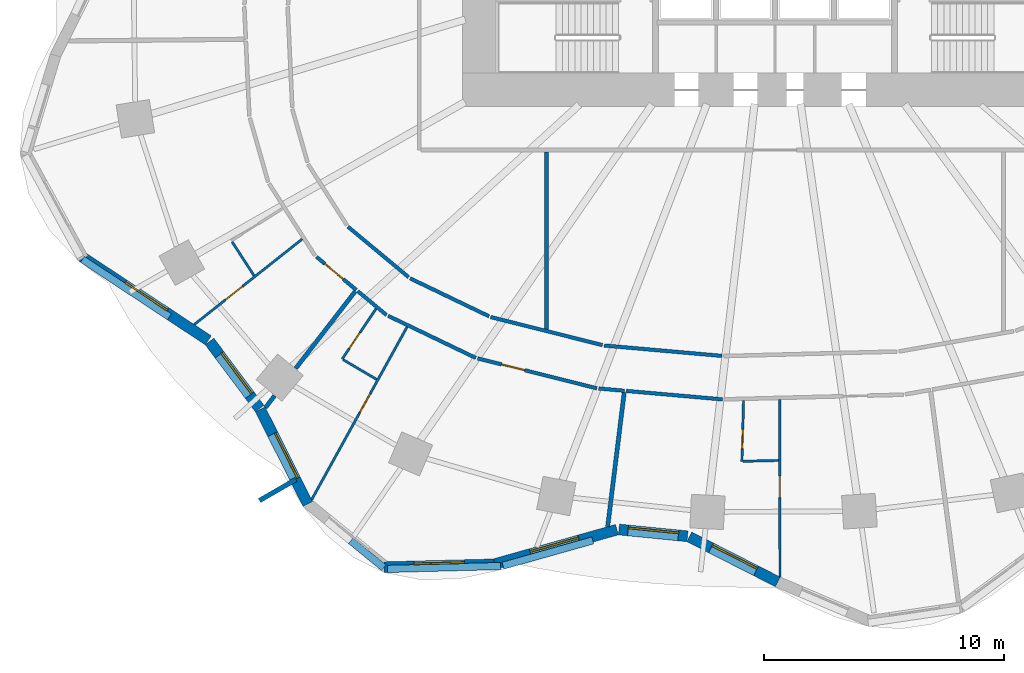
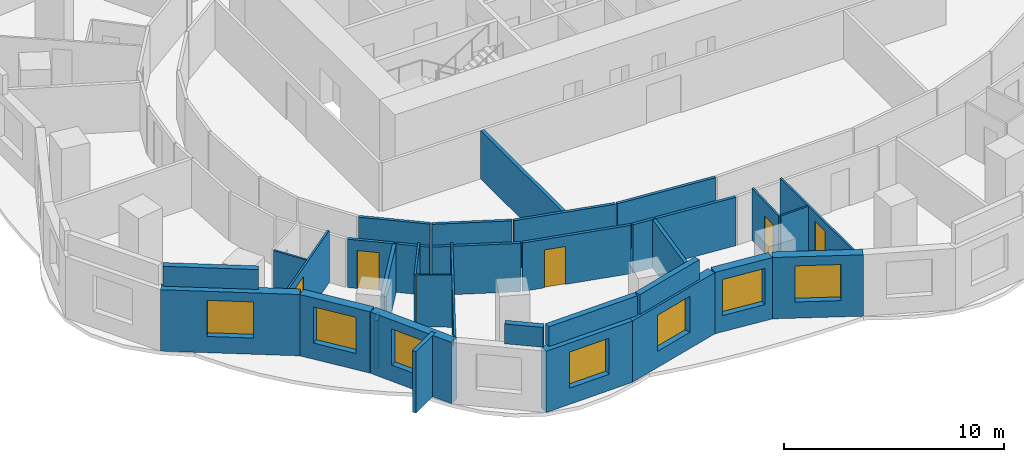
# One storey, part 3 of 11: 34 walls, 7 doors, 7 windows, 14 openings.
"""IFC4 building model written with IfcOpenShell, lengths in metres."""

from ifc_helpers import new_model, si_unit, direction, frame, frame_2d, origin, place, context, subcontext, project, spatial, rectangle, extrude, material, layer, layer_set, type_object, element, fill, save


model = new_model("IFC4")

# Units and contexts
model_context = context("Model", 3, precision=1e-05, world=origin(), true_north=direction((0.0, 1.0)))
body_context = subcontext(model_context, "Body", "Model", "MODEL_VIEW")
ifc_project = project(units=[si_unit("LENGTHUNIT", "METRE"), si_unit("AREAUNIT", "SQUARE_METRE"), si_unit("VOLUMEUNIT", "CUBIC_METRE"), si_unit("PLANEANGLEUNIT", "RADIAN"), si_unit("MASSUNIT", "GRAM", prefix="KILO")], contexts=[model_context])

# Site, building, storey
site_placement = place(None, origin())
site = spatial("IfcSite", under=ifc_project, at=site_placement, CompositionType="ELEMENT")
building_placement = place(site_placement, origin())
building = spatial("IfcBuilding", under=site, at=building_placement, Name="Rubra Terraces Tower", CompositionType="ELEMENT")
storey_placement = place(building_placement, frame((0.0, 0.0, 37.5)))
storey = spatial("IfcBuildingStorey", under=building, at=storey_placement, Name="L06", CompositionType="ELEMENT", Elevation=37.5)

# Walls
ifc_material_1 = material(Name="Twin plasterboard on staggered steel stud, acoustic mineral wool", Category="steel")
ifc_layer_1 = layer(ifc_material_1, 0.175048828125)
ifc_layer_set_1 = layer_set([ifc_layer_1], Name="Twin plasterboard on staggered steel stud, acoustic mineral wool")
wall_type_1 = type_object("IfcWallType", Name="ACOUSTIC PARTY WALL 175", PredefinedType="PARTITIONING", material=ifc_layer_set_1)
wall_1_placement = place(storey_placement, frame((-21.196533203125, -15.51513671875, 0.0), z_axis=(0.0, 0.0, 1.0), x_axis=(0.61138040292, 0.791336845424, 0.0)))
element("IfcWall", 1, at=wall_1_placement, inside=storey, type_object=wall_type_1, Name="PARTITION", PredefinedType="PARTITIONING", context=body_context, shape_type="SweptSolid", body=[
    extrude(rectangle(XDim=0.621337890625, YDim=0.175048828125, at=frame_2d((0.310546875, 0.0))), origin(), (0.0, 0.0, 1.0), 2.679931640625),
])
wall_2_placement = place(storey_placement, frame((-19.935546875, -13.883056640625, 0.0), z_axis=(0.0, 0.0, 1.0), x_axis=(0.611385692276, 0.791332758882, 0.0)))
element("IfcWall", 2, at=wall_2_placement, inside=storey, type_object=wall_type_1, Name="PARTITION", PredefinedType="PARTITIONING", context=body_context, shape_type="SweptSolid", body=[
    extrude(rectangle(XDim=4.047119140625, YDim=0.175048828125, at=frame_2d((2.0234375, 0.0))), origin(), (0.0, 0.0, 1.0), 2.679931640625),
])
wall_3_placement = place(storey_placement, frame((-6.959716796875, -20.461669921875, 0.0), z_axis=(0.0, 0.0, 1.0), x_axis=(0.122317252329, 0.992491052747, 0.0)))
element("IfcWall", 3, at=wall_3_placement, inside=storey, type_object=wall_type_1, Name="PARTITION", PredefinedType="PARTITIONING", context=body_context, shape_type="SweptSolid", body=[
    extrude(rectangle(XDim=5.61669921875, YDim=0.175048828125, at=frame_2d((2.808349609375, 0.0))), origin(), (0.0, 0.0, 1.0), 2.679931640625),
])
wall_4_placement = place(storey_placement, frame((-9.5, -12.256591796875, 0.0), z_axis=(0.0, 0.0, 1.0), x_axis=(0.0, 1.0, 0.0)))
element("IfcWall", 4, at=wall_4_placement, inside=storey, type_object=wall_type_1, Name="PARTITION", PredefinedType="PARTITIONING", context=body_context, shape_type="SweptSolid", body=[
    extrude(rectangle(XDim=7.381591796875, YDim=0.175048828125, at=frame_2d((3.69091796875, 0.0))), origin(), (0.0, 0.0, 1.0), 2.679931640625),
])

# Wall, opening, window
ifc_material_2 = material(Name="Brick masonry red-brown", Category="masonry")
ifc_layer_2 = layer(ifc_material_2, 0.449951171875)
ifc_layer_set_2 = layer_set([ifc_layer_2], Name="Brick masonry red-brown")
wall_type_2 = type_object("IfcWallType", Name="Brick facade wall 450", PredefinedType="SOLIDWALL", material=ifc_layer_set_2)
wall_5_placement = place(storey_placement, frame((-28.85302734375, -9.227294921875, 0.0), z_axis=(0.0, 0.0, 1.0), x_axis=(0.834404370393, -0.551152743502, 0.0)))
wall_5 = element("IfcWall", 5, at=wall_5_placement, inside=storey, type_object=wall_type_2, Name="Facade wall L06 bay 23", PredefinedType="SOLIDWALL", context=body_context, shape_type="SweptSolid", body=[
    extrude(rectangle(XDim=6.329833984375, YDim=0.449951171875, at=frame_2d((3.1650390625, 0.0))), origin(), (0.0, 0.0, 1.0), 3.39990234375),
])
opening_1_placement = place(wall_5_placement, frame((2.114990234375, 0.0, 0.89990234375)))
opening_1 = element("IfcOpeningElement", 6, at=opening_1_placement, cuts=wall_5, Name="Opening W1", PredefinedType="OPENING", context=body_context, shape_type="SweptSolid", body=[
    extrude(rectangle(XDim=2.10009765625, YDim=2.0, at=frame_2d((1.050048828125, 1.0))), frame((0.0, 0.23486328125, 0.0), z_axis=(0.0, -1.0, 0.0), x_axis=(1.0, 0.0, 0.0)), (0.0, 0.0, 1.0), 0.469970703125),
])
ifc_material_3 = material(Name="Clear glass in aluminium frame", Category="aluminium")
window_type = type_object("IfcWindowType", Name="Fixed deep-set window 2100 x 2000", PartitioningType="SINGLE_PANEL", PredefinedType="WINDOW", material=ifc_material_3)
window_1_placement = place(opening_1_placement, origin())
window_1 = element("IfcWindow", 7, at=window_1_placement, inside=storey, type_object=window_type, Name="Window L06 bay 23", OverallHeight=2.0, OverallWidth=2.10009765625, PartitioningType="SINGLE_PANEL", PredefinedType="WINDOW", context=body_context, shape_type="SweptSolid", body=[
    extrude(rectangle(XDim=2.10009765625, YDim=2.0, at=frame_2d((1.050048828125, 1.0))), frame((0.0, 0.135009765625, 0.0), z_axis=(0.0, -1.0, 0.0), x_axis=(1.0, 0.0, 0.0)), (0.0, 0.0, 1.0), 0.06005859375),
])
fill(opening_1, window_1)

wall_6_placement = place(storey_placement, frame((-23.520263671875, -12.762451171875, 0.0), z_axis=(0.0, 0.0, 1.0), x_axis=(0.598664281495, -0.801000048728, 0.0)))
wall_6 = element("IfcWall", 8, at=wall_6_placement, inside=storey, type_object=wall_type_2, Name="Facade wall L06 bay 24", PredefinedType="SOLIDWALL", context=body_context, shape_type="SweptSolid", body=[
    extrude(rectangle(XDim=3.482177734375, YDim=0.449951171875, at=frame_2d((1.7412109375, 0.0))), origin(), (0.0, 0.0, 1.0), 3.39990234375),
])
opening_2_placement = place(wall_6_placement, frame((0.691162109375, 0.0, 0.89990234375)))
opening_2 = element("IfcOpeningElement", 9, at=opening_2_placement, cuts=wall_6, Name="Opening W1", PredefinedType="OPENING", context=body_context, shape_type="SweptSolid", body=[
    extrude(rectangle(XDim=2.10009765625, YDim=2.0, at=frame_2d((1.050048828125, 1.0))), frame((0.0, 0.23486328125, 0.0), z_axis=(0.0, -1.0, 0.0), x_axis=(1.0, 0.0, 0.0)), (0.0, 0.0, 1.0), 0.469970703125),
])
window_2_placement = place(opening_2_placement, origin())
window_2 = element("IfcWindow", 10, at=window_2_placement, inside=storey, type_object=window_type, Name="Window L06 bay 24", OverallHeight=2.0, OverallWidth=2.10009765625, PartitioningType="SINGLE_PANEL", PredefinedType="WINDOW", context=body_context, shape_type="SweptSolid", body=[
    extrude(rectangle(XDim=2.10009765625, YDim=2.0, at=frame_2d((1.050048828125, 1.0))), frame((0.0, 0.135009765625, 0.0), z_axis=(0.0, -1.0, 0.0), x_axis=(1.0, 0.0, 0.0)), (0.0, 0.0, 1.0), 0.06005859375),
])
fill(opening_2, window_2)

wall_7_placement = place(storey_placement, frame((-21.41259765625, -15.586181640625, 0.0), z_axis=(0.0, 0.0, 1.0), x_axis=(0.449428064685, -0.893316525467, 0.0)))
wall_7 = element("IfcWall", 11, at=wall_7_placement, inside=storey, type_object=wall_type_2, Name="Facade wall L06 bay 25", PredefinedType="SOLIDWALL", context=body_context, shape_type="SweptSolid", body=[
    extrude(rectangle(XDim=4.4072265625, YDim=0.449951171875, at=frame_2d((2.20361328125, 0.0))), origin(), (0.0, 0.0, 1.0), 3.39990234375),
])
opening_3_placement = place(wall_7_placement, frame((1.153564453125, 0.0, 0.89990234375)))
opening_3 = element("IfcOpeningElement", 12, at=opening_3_placement, cuts=wall_7, Name="Opening W1", PredefinedType="OPENING", context=body_context, shape_type="SweptSolid", body=[
    extrude(rectangle(XDim=2.10009765625, YDim=2.0, at=frame_2d((1.050048828125, 1.0))), frame((0.0, 0.23486328125, 0.0), z_axis=(0.0, -1.0, 0.0), x_axis=(1.0, 0.0, 0.0)), (0.0, 0.0, 1.0), 0.469970703125),
])
window_3_placement = place(opening_3_placement, origin())
window_3 = element("IfcWindow", 13, at=window_3_placement, inside=storey, type_object=window_type, Name="Window L06 bay 25", OverallHeight=2.0, OverallWidth=2.10009765625, PartitioningType="SINGLE_PANEL", PredefinedType="WINDOW", context=body_context, shape_type="SweptSolid", body=[
    extrude(rectangle(XDim=2.10009765625, YDim=2.0, at=frame_2d((1.050048828125, 1.0))), frame((0.0, 0.135009765625, 0.0), z_axis=(0.0, -1.0, 0.0), x_axis=(1.0, 0.0, 0.0)), (0.0, 0.0, 1.0), 0.06005859375),
])
fill(opening_3, window_3)

wall_8_placement = place(storey_placement, frame((-16.264892578125, -22.153076171875, 0.0), z_axis=(0.0, 0.0, 1.0), x_axis=(0.999672618135, 0.025586257081, 0.0)))
wall_8 = element("IfcWall", 14, at=wall_8_placement, inside=storey, type_object=wall_type_2, Name="Facade wall L06 bay 27", PredefinedType="SOLIDWALL", context=body_context, shape_type="SweptSolid", body=[
    extrude(rectangle(XDim=4.589599609375, YDim=0.449951171875, at=frame_2d((2.294921875, 0.0))), origin(), (0.0, 0.0, 1.0), 3.39990234375),
])
opening_4_placement = place(wall_8_placement, frame((1.244873046875, 0.0, 0.89990234375)))
opening_4 = element("IfcOpeningElement", 15, at=opening_4_placement, cuts=wall_8, Name="Opening W1", PredefinedType="OPENING", context=body_context, shape_type="SweptSolid", body=[
    extrude(rectangle(XDim=2.10009765625, YDim=2.0, at=frame_2d((1.050048828125, 1.0))), frame((0.0, 0.23486328125, 0.0), z_axis=(0.0, -1.0, 0.0), x_axis=(1.0, 0.0, 0.0)), (0.0, 0.0, 1.0), 0.469970703125),
])
window_4_placement = place(opening_4_placement, origin())
window_4 = element("IfcWindow", 16, at=window_4_placement, inside=storey, type_object=window_type, Name="Window L06 bay 27", OverallHeight=2.0, OverallWidth=2.10009765625, PartitioningType="SINGLE_PANEL", PredefinedType="WINDOW", context=body_context, shape_type="SweptSolid", body=[
    extrude(rectangle(XDim=2.10009765625, YDim=2.0, at=frame_2d((1.050048828125, 1.0))), frame((0.0, 0.135009765625, 0.0), z_axis=(0.0, -1.0, 0.0), x_axis=(1.0, 0.0, 0.0)), (0.0, 0.0, 1.0), 0.06005859375),
])
fill(opening_4, window_4)

wall_9_placement = place(storey_placement, frame((-11.73193359375, -22.0439453125, 0.0), z_axis=(0.0, 0.0, 1.0), x_axis=(0.962535416232, 0.271155992925, 0.0)))
wall_9 = element("IfcWall", 17, at=wall_9_placement, inside=storey, type_object=wall_type_2, Name="Facade wall L06 bay 28", PredefinedType="SOLIDWALL", context=body_context, shape_type="SweptSolid", body=[
    extrude(rectangle(XDim=5.357177734375, YDim=0.449951171875, at=frame_2d((2.6787109375, 0.0))), origin(), (0.0, 0.0, 1.0), 3.39990234375),
])
opening_5_placement = place(wall_9_placement, frame((1.628662109375, 0.0, 0.89990234375)))
opening_5 = element("IfcOpeningElement", 18, at=opening_5_placement, cuts=wall_9, Name="Opening W1", PredefinedType="OPENING", context=body_context, shape_type="SweptSolid", body=[
    extrude(rectangle(XDim=2.10009765625, YDim=2.0, at=frame_2d((1.050048828125, 1.0))), frame((0.0, 0.23486328125, 0.0), z_axis=(0.0, -1.0, 0.0), x_axis=(1.0, 0.0, 0.0)), (0.0, 0.0, 1.0), 0.469970703125),
])
window_5_placement = place(opening_5_placement, origin())
window_5 = element("IfcWindow", 19, at=window_5_placement, inside=storey, type_object=window_type, Name="Window L06 bay 28", OverallHeight=2.0, OverallWidth=2.10009765625, PartitioningType="SINGLE_PANEL", PredefinedType="WINDOW", context=body_context, shape_type="SweptSolid", body=[
    extrude(rectangle(XDim=2.10009765625, YDim=2.0, at=frame_2d((1.050048828125, 1.0))), frame((0.0, 0.135009765625, 0.0), z_axis=(0.0, -1.0, 0.0), x_axis=(1.0, 0.0, 0.0)), (0.0, 0.0, 1.0), 0.06005859375),
])
fill(opening_5, window_5)

wall_10_placement = place(storey_placement, frame((-6.4921875, -20.583984375, 0.0), z_axis=(0.0, 0.0, 1.0), x_axis=(0.995123748575, -0.098634299418, 0.0)))
wall_10 = element("IfcWall", 20, at=wall_10_placement, inside=storey, type_object=wall_type_2, Name="Facade wall L06 bay 29", PredefinedType="SOLIDWALL", context=body_context, shape_type="SweptSolid", body=[
    extrude(rectangle(XDim=2.86376953125, YDim=0.449951171875, at=frame_2d((1.431884765625, 0.0))), origin(), (0.0, 0.0, 1.0), 3.39990234375),
])
opening_6_placement = place(wall_10_placement, frame((0.3818359375, 0.0, 0.89990234375)))
opening_6 = element("IfcOpeningElement", 21, at=opening_6_placement, cuts=wall_10, Name="Opening W1", PredefinedType="OPENING", context=body_context, shape_type="SweptSolid", body=[
    extrude(rectangle(XDim=2.10009765625, YDim=2.0, at=frame_2d((1.050048828125, 1.0))), frame((0.0, 0.23486328125, 0.0), z_axis=(0.0, -1.0, 0.0), x_axis=(1.0, 0.0, 0.0)), (0.0, 0.0, 1.0), 0.469970703125),
])
window_6_placement = place(opening_6_placement, origin())
window_6 = element("IfcWindow", 22, at=window_6_placement, inside=storey, type_object=window_type, Name="Window L06 bay 29", OverallHeight=2.0, OverallWidth=2.10009765625, PartitioningType="SINGLE_PANEL", PredefinedType="WINDOW", context=body_context, shape_type="SweptSolid", body=[
    extrude(rectangle(XDim=2.10009765625, YDim=2.0, at=frame_2d((1.050048828125, 1.0))), frame((0.0, 0.135009765625, 0.0), z_axis=(0.0, -1.0, 0.0), x_axis=(1.0, 0.0, 0.0)), (0.0, 0.0, 1.0), 0.06005859375),
])
fill(opening_6, window_6)

wall_11_placement = place(storey_placement, frame((-3.564208984375, -20.888916015625, 0.0), z_axis=(0.0, 0.0, 1.0), x_axis=(0.891033634447, -0.453937288933, 0.0)))
wall_11 = element("IfcWall", 23, at=wall_11_placement, inside=storey, type_object=wall_type_2, Name="Facade wall L06 bay 30", PredefinedType="SOLIDWALL", context=body_context, shape_type="SweptSolid", body=[
    extrude(rectangle(XDim=4.131591796875, YDim=0.449951171875, at=frame_2d((2.06591796875, 0.0))), origin(), (0.0, 0.0, 1.0), 3.39990234375),
])
opening_7_placement = place(wall_11_placement, frame((1.015869140625, 0.0, 0.89990234375)))
opening_7 = element("IfcOpeningElement", 24, at=opening_7_placement, cuts=wall_11, Name="Opening W1", PredefinedType="OPENING", context=body_context, shape_type="SweptSolid", body=[
    extrude(rectangle(XDim=2.10009765625, YDim=2.0, at=frame_2d((1.050048828125, 1.0))), frame((0.0, 0.23486328125, 0.0), z_axis=(0.0, -1.0, 0.0), x_axis=(1.0, 0.0, 0.0)), (0.0, 0.0, 1.0), 0.469970703125),
])
window_7_placement = place(opening_7_placement, origin())
window_7 = element("IfcWindow", 25, at=window_7_placement, inside=storey, type_object=window_type, Name="Window L06 bay 30", OverallHeight=2.0, OverallWidth=2.10009765625, PartitioningType="SINGLE_PANEL", PredefinedType="WINDOW", context=body_context, shape_type="SweptSolid", body=[
    extrude(rectangle(XDim=2.10009765625, YDim=2.0, at=frame_2d((1.050048828125, 1.0))), frame((0.0, 0.135009765625, 0.0), z_axis=(0.0, -1.0, 0.0), x_axis=(1.0, 0.0, 0.0)), (0.0, 0.0, 1.0), 0.06005859375),
])
fill(opening_7, window_7)

# Walls
ifc_layer_3 = layer(ifc_material_2, 0.300048828125)
ifc_layer_set_3 = layer_set([ifc_layer_3], Name="Brick masonry red-brown")
wall_type_3 = type_object("IfcWallType", Name="Brick parapet 300", PredefinedType="PARAPET", material=ifc_layer_set_3)
wall_12_placement = place(storey_placement, frame((-28.80712890625, -9.347412109375, 3.60009765625), z_axis=(0.0, 0.0, 1.0), x_axis=(0.834398186729, -0.551162104995, 0.0)))
element("IfcWall", 26, at=wall_12_placement, inside=storey, type_object=wall_type_3, Name="Parapet L06 bay 23", PredefinedType="PARAPET", context=body_context, shape_type="SweptSolid", body=[
    extrude(rectangle(XDim=4.33740234375, YDim=0.300048828125, at=frame_2d((2.168701171875, 0.0))), origin(), (0.0, 0.0, 1.0), 1.099853515625),
])
wall_13_placement = place(storey_placement, frame((-17.646728515625, -21.05322265625, 3.60009765625), z_axis=(0.0, 0.0, 1.0), x_axis=(0.775067490636, -0.631878457426, 0.0)))
element("IfcWall", 27, at=wall_13_placement, inside=storey, type_object=wall_type_3, Name="Parapet L06 bay 26", PredefinedType="PARAPET", context=body_context, shape_type="SweptSolid", body=[
    extrude(rectangle(XDim=1.771484375, YDim=0.300048828125, at=frame_2d((0.8857421875, 0.0))), origin(), (0.0, 0.0, 1.0), 1.099853515625),
])
wall_14_placement = place(storey_placement, frame((-16.121826171875, -22.224365234375, 3.60009765625), z_axis=(0.0, 0.0, 1.0), x_axis=(0.999672688687, 0.025583500399, 0.0)))
element("IfcWall", 28, at=wall_14_placement, inside=storey, type_object=wall_type_3, Name="Parapet L06 bay 27", PredefinedType="PARAPET", context=body_context, shape_type="SweptSolid", body=[
    extrude(rectangle(XDim=4.714111328125, YDim=0.300048828125, at=frame_2d((2.35693359375, 0.0))), origin(), (0.0, 0.0, 1.0), 1.099853515625),
])
wall_15_placement = place(storey_placement, frame((-11.313720703125, -22.08935546875, 3.60009765625), z_axis=(0.0, 0.0, 1.0), x_axis=(0.962524249835, 0.271195627691, 0.0)))
element("IfcWall", 29, at=wall_15_placement, inside=storey, type_object=wall_type_3, Name="Parapet L06 bay 28", PredefinedType="PARAPET", context=body_context, shape_type="SweptSolid", body=[
    extrude(rectangle(XDim=3.880126953125, YDim=0.300048828125, at=frame_2d((1.93994140625, 0.0))), origin(), (0.0, 0.0, 1.0), 1.099853515625),
])
ifc_layer_4 = layer(ifc_material_2, 0.199951171875)
ifc_layer_set_4 = layer_set([ifc_layer_4], Name="Brick masonry red-brown")
wall_type_4 = type_object("IfcWallType", Name="Brick wind fin 200", PredefinedType="SOLIDWALL", material=ifc_layer_set_4)
wall_16_placement = place(storey_placement, frame((-19.927978515625, -18.50390625, 0.0), z_axis=(0.0, 0.0, 1.0), x_axis=(-0.865881186914, -0.500249707794, 0.0)))
element("IfcWall", 30, at=wall_16_placement, inside=storey, type_object=wall_type_4, Name="Wind fin L06 15", PredefinedType="SOLIDWALL", context=body_context, shape_type="SweptSolid", body=[
    extrude(rectangle(XDim=1.75, YDim=0.199951171875, at=frame_2d((0.875, 0.0))), origin(), (0.0, 0.0, 1.0), 3.39990234375),
])

# Wall, opening, door
ifc_material_4 = material(Name="Plasterboard on steel stud, mineral wool infill", Category="steel")
ifc_layer_5 = layer(ifc_material_4, 0.14990234375)
ifc_layer_set_5 = layer_set([ifc_layer_5], Name="Plasterboard on steel stud, mineral wool infill")
wall_type_5 = type_object("IfcWallType", Name="CORRIDOR PARTITION 150", PredefinedType="PARTITIONING", material=ifc_layer_set_5)
wall_17_placement = place(storey_placement, frame((-19.07421875, -9.2412109375, 0.0), z_axis=(0.0, 0.0, 1.0), x_axis=(0.768805221583, -0.639483018747, 0.0)))
wall_17 = element("IfcWall", 31, at=wall_17_placement, inside=storey, type_object=wall_type_5, Name="PARTITION", PredefinedType="PARTITIONING", context=body_context, shape_type="SweptSolid", body=[
    extrude(rectangle(XDim=2.15771484375, YDim=0.14990234375, at=frame_2d((1.078857421875, 0.0))), origin(), (0.0, 0.0, 1.0), 2.679931640625),
])
opening_8_placement = place(wall_17_placement, frame((0.449951171875, 0.0, 0.0)))
opening_8 = element("IfcOpeningElement", 32, at=opening_8_placement, cuts=wall_17, Name="Opening 06-119", PredefinedType="OPENING", context=body_context, shape_type="SweptSolid", body=[
    extrude(rectangle(XDim=1.0, YDim=2.10009765625, at=frame_2d((0.5, 1.050048828125))), frame((0.0, 0.0849609375, 0.0), z_axis=(0.0, -1.0, 0.0), x_axis=(1.0, 0.0, 0.0)), (0.0, 0.0, 1.0), 0.169921875),
])
ifc_material_5 = material(Name="Painted timber door leaf", Category="wood")
door_type_1 = type_object("IfcDoorType", Name="ROOM DOOR 1000 X 2100", OperationType="SINGLE_SWING_LEFT", PredefinedType="DOOR", material=ifc_material_5)
door_1_placement = place(opening_8_placement, origin())
door_1 = element("IfcDoor", 33, at=door_1_placement, inside=storey, type_object=door_type_1, Name="DOOR 06-119", OperationType="SINGLE_SWING_RIGHT", OverallHeight=2.10009765625, OverallWidth=1.0, PredefinedType="DOOR", context=body_context, shape_type="SweptSolid", body=[
    extrude(rectangle(XDim=1.0, YDim=2.10009765625, at=frame_2d((0.5, 1.050048828125))), frame((0.0, 0.02490234375, 0.0), z_axis=(0.0, -1.0, 0.0), x_axis=(1.0, 0.0, 0.0)), (0.0, 0.0, 1.0), 0.050048828125),
])
fill(opening_8, door_1)

# Walls
wall_18_placement = place(storey_placement, frame((-17.357666015625, -10.669189453125, 0.0), z_axis=(0.0, 0.0, 1.0), x_axis=(0.768876960633, -0.639396762119, 0.0)))
element("IfcWall", 34, at=wall_18_placement, inside=storey, type_object=wall_type_5, Name="PARTITION", PredefinedType="PARTITIONING", context=body_context, shape_type="SweptSolid", body=[
    extrude(rectangle(XDim=1.5556640625, YDim=0.14990234375, at=frame_2d((0.77783203125, 0.0))), origin(), (0.0, 0.0, 1.0), 2.679931640625),
])
wall_19_placement = place(storey_placement, frame((-16.093994140625, -11.6962890625, 0.0), z_axis=(0.0, 0.0, 1.0), x_axis=(0.901427088992, -0.432930945108, 0.0)))
element("IfcWall", 35, at=wall_19_placement, inside=storey, type_object=wall_type_5, Name="PARTITION", PredefinedType="PARTITIONING", context=body_context, shape_type="SweptSolid", body=[
    extrude(rectangle(XDim=4.050048828125, YDim=0.14990234375, at=frame_2d((2.02490234375, 0.0))), origin(), (0.0, 0.0, 1.0), 2.679931640625),
])

# Wall, opening, door
wall_20_placement = place(storey_placement, frame((-12.37060546875, -13.4677734375, 0.0), z_axis=(0.0, 0.0, 1.0), x_axis=(0.969987994087, -0.243152814764, 0.0)))
wall_20 = element("IfcWall", 36, at=wall_20_placement, inside=storey, type_object=wall_type_5, Name="PARTITION", PredefinedType="PARTITIONING", context=body_context, shape_type="SweptSolid", body=[
    extrude(rectangle(XDim=5.11865234375, YDim=0.14990234375, at=frame_2d((2.559326171875, 0.0))), origin(), (0.0, 0.0, 1.0), 2.679931640625),
])
opening_9_placement = place(wall_20_placement, frame((1.028076171875, 0.0, 0.0)))
opening_9 = element("IfcOpeningElement", 37, at=opening_9_placement, cuts=wall_20, Name="Opening 06-122", PredefinedType="OPENING", context=body_context, shape_type="SweptSolid", body=[
    extrude(rectangle(XDim=1.0, YDim=2.10009765625, at=frame_2d((0.5, 1.050048828125))), frame((0.0, 0.0849609375, 0.0), z_axis=(0.0, -1.0, 0.0), x_axis=(1.0, 0.0, 0.0)), (0.0, 0.0, 1.0), 0.169921875),
])
door_2_placement = place(opening_9_placement, origin())
door_2 = element("IfcDoor", 38, at=door_2_placement, inside=storey, type_object=door_type_1, Name="DOOR 06-122", OperationType="SINGLE_SWING_RIGHT", OverallHeight=2.10009765625, OverallWidth=1.0, PredefinedType="DOOR", context=body_context, shape_type="SweptSolid", body=[
    extrude(rectangle(XDim=1.0, YDim=2.10009765625, at=frame_2d((0.5, 1.050048828125))), frame((0.0, 0.02490234375, 0.0), z_axis=(0.0, -1.0, 0.0), x_axis=(1.0, 0.0, 0.0)), (0.0, 0.0, 1.0), 0.050048828125),
])
fill(opening_9, door_2)

# Walls
wall_21_placement = place(storey_placement, frame((-7.330810546875, -14.718994140625, 0.0), z_axis=(0.0, 0.0, 1.0), x_axis=(0.996145089984, -0.087720919406, 0.0)))
element("IfcWall", 39, at=wall_21_placement, inside=storey, type_object=wall_type_5, Name="PARTITION", PredefinedType="PARTITIONING", context=body_context, shape_type="SweptSolid", body=[
    extrude(rectangle(XDim=1.071533203125, YDim=0.14990234375, at=frame_2d((0.53564453125, 0.0))), origin(), (0.0, 0.0, 1.0), 2.679931640625),
])
wall_22_placement = place(storey_placement, frame((-6.188720703125, -14.819580078125, 0.0), z_axis=(0.0, 0.0, 1.0), x_axis=(0.996138144042, -0.087799760727, 0.0)))
element("IfcWall", 40, at=wall_22_placement, inside=storey, type_object=wall_type_5, Name="PARTITION", PredefinedType="PARTITIONING", context=body_context, shape_type="SweptSolid", body=[
    extrude(rectangle(XDim=4.015380859375, YDim=0.14990234375, at=frame_2d((2.0078125, 0.0))), origin(), (0.0, 0.0, 1.0), 2.679931640625),
])
wall_23_placement = place(storey_placement, frame((-2.207763671875, -13.363525390625, 0.0), z_axis=(0.0, 0.0, 1.0), x_axis=(-0.996134962793, 0.087835846335, 0.0)))
element("IfcWall", 41, at=wall_23_placement, inside=storey, type_object=wall_type_5, Name="PARTITION", PredefinedType="PARTITIONING", context=body_context, shape_type="SweptSolid", body=[
    extrude(rectangle(XDim=4.9169921875, YDim=0.14990234375, at=frame_2d((2.45849609375, 0.0))), origin(), (0.0, 0.0, 1.0), 2.679931640625),
])
wall_24_placement = place(storey_placement, frame((-7.178466796875, -12.91357421875, 0.0), z_axis=(0.0, 0.0, 1.0), x_axis=(-0.969983523639, 0.243170647628, 0.0)))
element("IfcWall", 42, at=wall_24_placement, inside=storey, type_object=wall_type_5, Name="PARTITION", PredefinedType="PARTITIONING", context=body_context, shape_type="SweptSolid", body=[
    extrude(rectangle(XDim=4.7939453125, YDim=0.14990234375, at=frame_2d((2.39697265625, 0.0))), origin(), (0.0, 0.0, 1.0), 2.679931640625),
])
wall_25_placement = place(storey_placement, frame((-11.896240234375, -11.71533203125, 0.0), z_axis=(0.0, 0.0, 1.0), x_axis=(-0.901466605799, 0.432848655571, 0.0)))
element("IfcWall", 43, at=wall_25_placement, inside=storey, type_object=wall_type_5, Name="PARTITION", PredefinedType="PARTITIONING", context=body_context, shape_type="SweptSolid", body=[
    extrude(rectangle(XDim=3.644775390625, YDim=0.14990234375, at=frame_2d((1.822265625, 0.0))), origin(), (0.0, 0.0, 1.0), 2.679931640625),
])
wall_26_placement = place(storey_placement, frame((-15.239501953125, -10.089599609375, 0.0), z_axis=(0.0, 0.0, 1.0), x_axis=(-0.768799656378, 0.639489709341, 0.0)))
element("IfcWall", 44, at=wall_26_placement, inside=storey, type_object=wall_type_5, Name="PARTITION", PredefinedType="PARTITIONING", context=body_context, shape_type="SweptSolid", body=[
    extrude(rectangle(XDim=3.28515625, YDim=0.14990234375, at=frame_2d((1.642578125, 0.0))), origin(), (0.0, 0.0, 1.0), 2.679931640625),
])

# Wall, opening, door
ifc_material_6 = material(Name="Plasterboard on steel stud", Category="steel")
ifc_layer_6 = layer(ifc_material_6, 0.10009765625)
ifc_layer_set_6 = layer_set([ifc_layer_6], Name="Plasterboard on steel stud")
wall_type_6 = type_object("IfcWallType", Name="ROOM PARTITION 100", PredefinedType="PARTITIONING", material=ifc_layer_set_6)
wall_27_placement = place(storey_placement, frame((-24.156982421875, -12.0595703125, 0.0), z_axis=(0.0, 0.0, 1.0), x_axis=(0.784012147034, 0.620745481903, 0.0)))
wall_27 = element("IfcWall", 45, at=wall_27_placement, inside=storey, type_object=wall_type_6, Name="PARTITION", PredefinedType="PARTITIONING", context=body_context, shape_type="SweptSolid", body=[
    extrude(rectangle(XDim=5.733154296875, YDim=0.10009765625, at=frame_2d((2.86669921875, 0.0))), origin(), (0.0, 0.0, 1.0), 2.884033203125),
])
opening_10_placement = place(wall_27_placement, frame((1.657958984375, 0.0, 0.0)))
opening_10 = element("IfcOpeningElement", 46, at=opening_10_placement, cuts=wall_27, Name="Opening 06-118", PredefinedType="OPENING", context=body_context, shape_type="SweptSolid", body=[
    extrude(rectangle(XDim=0.89990234375, YDim=2.39990234375, at=frame_2d((0.449951171875, 1.199951171875))), frame((0.0, 0.06005859375, 0.0), z_axis=(0.0, -1.0, 0.0), x_axis=(1.0, 0.0, 0.0)), (0.0, 0.0, 1.0), 0.1201171875),
])
ifc_material_7 = material(Name="Veneered timber door leaf, fire-rated", Category="wood")
door_type_2 = type_object("IfcDoorType", Name="SUITE ENTRANCE DOOR 900 X 2400", OperationType="SINGLE_SWING_LEFT", PredefinedType="DOOR", material=ifc_material_7)
door_3_placement = place(opening_10_placement, origin())
door_3 = element("IfcDoor", 47, at=door_3_placement, inside=storey, type_object=door_type_2, Name="DOOR 06-118", OperationType="SINGLE_SWING_LEFT", OverallHeight=2.39990234375, OverallWidth=0.89990234375, PredefinedType="DOOR", context=body_context, shape_type="SweptSolid", body=[
    extrude(rectangle(XDim=0.89990234375, YDim=2.39990234375, at=frame_2d((0.449951171875, 1.199951171875))), frame((0.0, 0.02490234375, 0.0), z_axis=(0.0, -1.0, 0.0), x_axis=(1.0, 0.0, 0.0)), (0.0, 0.0, 1.0), 0.050048828125),
])
fill(opening_10, door_3)

# Wall
wall_28_placement = place(storey_placement, frame((-22.5830078125, -8.616455078125, 0.0), z_axis=(0.0, 0.0, 1.0), x_axis=(0.544058409866, -0.839047344703, 0.0)))
element("IfcWall", 48, at=wall_28_placement, inside=storey, type_object=wall_type_6, Name="PARTITION", PredefinedType="PARTITIONING", context=body_context, shape_type="SweptSolid", body=[
    extrude(rectangle(XDim=1.68017578125, YDim=0.10009765625, at=frame_2d((0.840087890625, 0.0))), origin(), (0.0, 0.0, 1.0), 2.884033203125),
])

# Wall, opening, door
wall_29_placement = place(storey_placement, frame((-19.269287109375, -19.337158203125, 0.0), z_axis=(0.0, 0.0, 1.0), x_axis=(0.483525866251, 0.875330072982, 0.0)))
wall_29 = element("IfcWall", 49, at=wall_29_placement, inside=storey, type_object=wall_type_6, Name="PARTITION", PredefinedType="PARTITIONING", context=body_context, shape_type="SweptSolid", body=[
    extrude(rectangle(XDim=8.200927734375, YDim=0.10009765625, at=frame_2d((4.1005859375, 0.0))), origin(), (0.0, 0.0, 1.0), 2.884033203125),
])
opening_11_placement = place(wall_29_placement, frame((4.1259765625, 0.0, 0.0)))
opening_11 = element("IfcOpeningElement", 50, at=opening_11_placement, cuts=wall_29, Name="Opening 06-121", PredefinedType="OPENING", context=body_context, shape_type="SweptSolid", body=[
    extrude(rectangle(XDim=0.89990234375, YDim=2.39990234375, at=frame_2d((0.449951171875, 1.199951171875))), frame((0.0, 0.06005859375, 0.0), z_axis=(0.0, -1.0, 0.0), x_axis=(1.0, 0.0, 0.0)), (0.0, 0.0, 1.0), 0.1201171875),
])
door_4_placement = place(opening_11_placement, origin())
door_4 = element("IfcDoor", 51, at=door_4_placement, inside=storey, type_object=door_type_2, Name="DOOR 06-121", OperationType="SINGLE_SWING_LEFT", OverallHeight=2.39990234375, OverallWidth=0.89990234375, PredefinedType="DOOR", context=body_context, shape_type="SweptSolid", body=[
    extrude(rectangle(XDim=0.89990234375, YDim=2.39990234375, at=frame_2d((0.449951171875, 1.199951171875))), frame((0.0, 0.02490234375, 0.0), z_axis=(0.0, -1.0, 0.0), x_axis=(1.0, 0.0, 0.0)), (0.0, 0.0, 1.0), 0.050048828125),
])
fill(opening_11, door_4)

wall_30_placement = place(storey_placement, frame((-16.59423828125, -11.401123046875, 0.0), z_axis=(0.0, 0.0, 1.0), x_axis=(-0.558265035611, -0.829662672424, 0.0)))
wall_30 = element("IfcWall", 52, at=wall_30_placement, inside=storey, type_object=wall_type_6, Name="PARTITION", PredefinedType="PARTITIONING", context=body_context, shape_type="SweptSolid", body=[
    extrude(rectangle(XDim=2.525146484375, YDim=0.10009765625, at=frame_2d((1.2626953125, 0.0))), origin(), (0.0, 0.0, 1.0), 2.884033203125),
])
opening_12_placement = place(wall_30_placement, frame((1.199951171875, 0.0, 0.0)))
opening_12 = element("IfcOpeningElement", 53, at=opening_12_placement, cuts=wall_30, Name="Opening 06-120", PredefinedType="OPENING", context=body_context, shape_type="SweptSolid", body=[
    extrude(rectangle(XDim=0.800048828125, YDim=2.10009765625, at=frame_2d((0.39990234375, 1.050048828125))), frame((0.0, 0.06005859375, 0.0), z_axis=(0.0, -1.0, 0.0), x_axis=(1.0, 0.0, 0.0)), (0.0, 0.0, 1.0), 0.1201171875),
])
door_type_3 = type_object("IfcDoorType", Name="BATHROOM DOOR 800 X 2100", OperationType="SINGLE_SWING_LEFT", PredefinedType="DOOR", material=ifc_material_5)
door_5_placement = place(opening_12_placement, origin())
door_5 = element("IfcDoor", 54, at=door_5_placement, inside=storey, type_object=door_type_3, Name="DOOR 06-120", OperationType="SINGLE_SWING_LEFT", OverallHeight=2.10009765625, OverallWidth=0.800048828125, PredefinedType="DOOR", context=body_context, shape_type="SweptSolid", body=[
    extrude(rectangle(XDim=0.800048828125, YDim=2.10009765625, at=frame_2d((0.39990234375, 1.050048828125))), frame((0.0, 0.02490234375, 0.0), z_axis=(0.0, -1.0, 0.0), x_axis=(1.0, 0.0, 0.0)), (0.0, 0.0, 1.0), 0.050048828125),
])
fill(opening_12, door_5)

# Wall
wall_31_placement = place(storey_placement, frame((-17.960693359375, -13.521484375, 0.0), z_axis=(0.0, 0.0, 1.0), x_axis=(0.861133802033, -0.508378377782, 0.0)))
element("IfcWall", 55, at=wall_31_placement, inside=storey, type_object=wall_type_6, Name="PARTITION", PredefinedType="PARTITIONING", context=body_context, shape_type="SweptSolid", body=[
    extrude(rectangle(XDim=1.617431640625, YDim=0.10009765625, at=frame_2d((0.80859375, 0.0))), origin(), (0.0, 0.0, 1.0), 2.884033203125),
])

# Wall, opening, door
wall_32_placement = place(storey_placement, frame((0.20751953125, -22.55322265625, 0.0), z_axis=(0.0, 0.0, 1.0), x_axis=(-0.002054404359, 0.999997889709, 0.0)))
wall_32 = element("IfcWall", 56, at=wall_32_placement, inside=storey, type_object=wall_type_6, Name="PARTITION", PredefinedType="PARTITIONING", context=body_context, shape_type="SweptSolid", body=[
    extrude(rectangle(XDim=7.367919921875, YDim=0.10009765625, at=frame_2d((3.68408203125, 0.0))), origin(), (0.0, 0.0, 1.0), 2.884033203125),
])
opening_13_placement = place(wall_32_placement, frame((3.29296875, 0.0, 0.0)))
opening_13 = element("IfcOpeningElement", 57, at=opening_13_placement, cuts=wall_32, Name="Opening 06-124", PredefinedType="OPENING", context=body_context, shape_type="SweptSolid", body=[
    extrude(rectangle(XDim=0.89990234375, YDim=2.39990234375, at=frame_2d((0.449951171875, 1.199951171875))), frame((0.0, 0.06005859375, 0.0), z_axis=(0.0, -1.0, 0.0), x_axis=(1.0, 0.0, 0.0)), (0.0, 0.0, 1.0), 0.1201171875),
])
door_6_placement = place(opening_13_placement, origin())
door_6 = element("IfcDoor", 58, at=door_6_placement, inside=storey, type_object=door_type_2, Name="DOOR 06-124", OperationType="SINGLE_SWING_LEFT", OverallHeight=2.39990234375, OverallWidth=0.89990234375, PredefinedType="DOOR", context=body_context, shape_type="SweptSolid", body=[
    extrude(rectangle(XDim=0.89990234375, YDim=2.39990234375, at=frame_2d((0.449951171875, 1.199951171875))), frame((0.0, 0.02490234375, 0.0), z_axis=(0.0, -1.0, 0.0), x_axis=(1.0, 0.0, 0.0)), (0.0, 0.0, 1.0), 0.050048828125),
])
fill(opening_13, door_6)

wall_33_placement = place(storey_placement, frame((-1.309326171875, -15.22412109375, 0.0), z_axis=(0.0, 0.0, 1.0), x_axis=(-0.026878765722, -0.999638700708, 0.0)))
wall_33 = element("IfcWall", 59, at=wall_33_placement, inside=storey, type_object=wall_type_6, Name="PARTITION", PredefinedType="PARTITIONING", context=body_context, shape_type="SweptSolid", body=[
    extrude(rectangle(XDim=2.525146484375, YDim=0.10009765625, at=frame_2d((1.2626953125, 0.0))), origin(), (0.0, 0.0, 1.0), 2.884033203125),
])
opening_14_placement = place(wall_33_placement, frame((1.199951171875, 0.0, 0.0)))
opening_14 = element("IfcOpeningElement", 60, at=opening_14_placement, cuts=wall_33, Name="Opening 06-123", PredefinedType="OPENING", context=body_context, shape_type="SweptSolid", body=[
    extrude(rectangle(XDim=0.800048828125, YDim=2.10009765625, at=frame_2d((0.39990234375, 1.050048828125))), frame((0.0, 0.06005859375, 0.0), z_axis=(0.0, -1.0, 0.0), x_axis=(1.0, 0.0, 0.0)), (0.0, 0.0, 1.0), 0.1201171875),
])
door_7_placement = place(opening_14_placement, origin())
door_7 = element("IfcDoor", 61, at=door_7_placement, inside=storey, type_object=door_type_3, Name="DOOR 06-123", OperationType="SINGLE_SWING_LEFT", OverallHeight=2.10009765625, OverallWidth=0.800048828125, PredefinedType="DOOR", context=body_context, shape_type="SweptSolid", body=[
    extrude(rectangle(XDim=0.800048828125, YDim=2.10009765625, at=frame_2d((0.39990234375, 1.050048828125))), frame((0.0, 0.02490234375, 0.0), z_axis=(0.0, -1.0, 0.0), x_axis=(1.0, 0.0, 0.0)), (0.0, 0.0, 1.0), 0.050048828125),
])
fill(opening_14, door_7)

# Wall
wall_34_placement = place(storey_placement, frame((-1.3271484375, -17.7470703125, 0.0), z_axis=(0.0, 0.0, 1.0), x_axis=(0.999707980688, 0.024165126686, 0.0)))
element("IfcWall", 62, at=wall_34_placement, inside=storey, type_object=wall_type_6, Name="PARTITION", PredefinedType="PARTITIONING", context=body_context, shape_type="SweptSolid", body=[
    extrude(rectangle(XDim=1.47509765625, YDim=0.10009765625, at=frame_2d((0.737548828125, 0.0))), origin(), (0.0, 0.0, 1.0), 2.884033203125),
])

save(model, "model.ifc")
